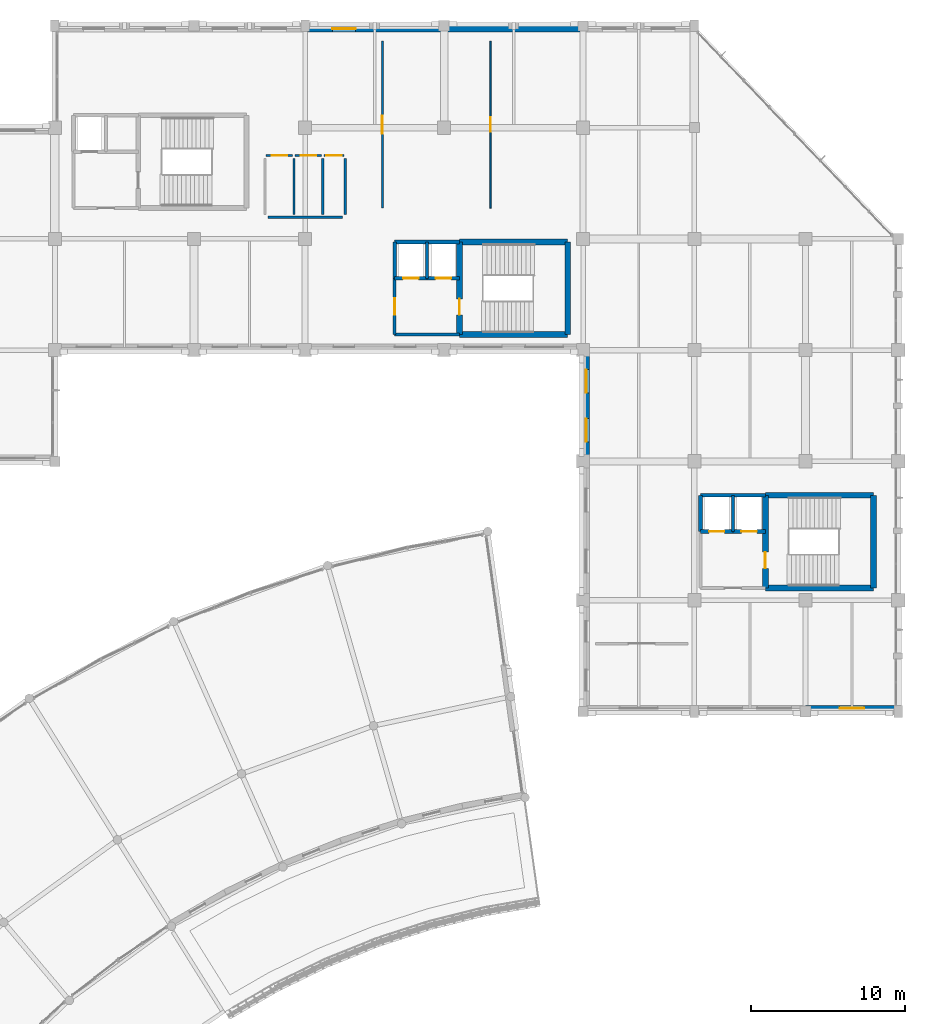
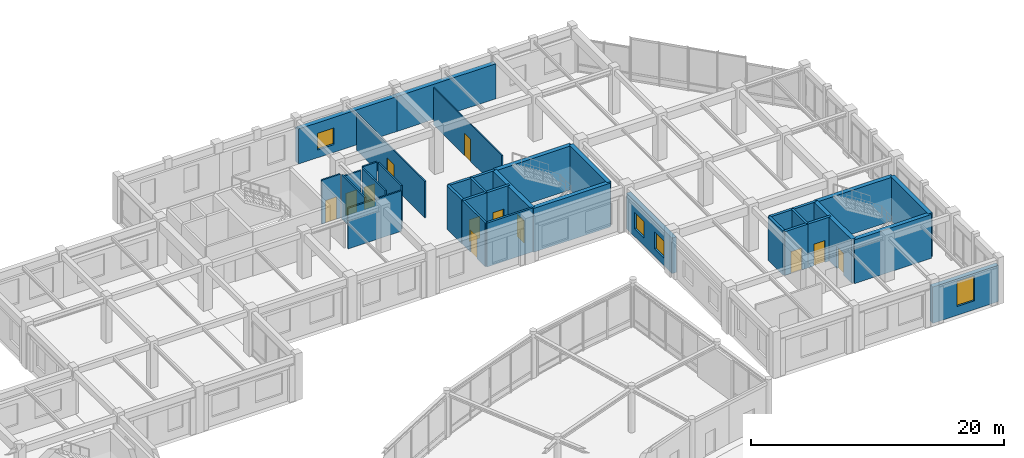
# One storey, part 47 of 62: 33 walls, 12 doors, 4 windows, 16 openings.
"""IFC4 building model written with IfcOpenShell, lengths in metres."""

from ifc_helpers import new_model, si_unit, direction, frame, frame_2d, origin, place, context, subcontext, project, spatial, rectangle, extrude, material, layer, layer_set, type_object, element, fill, save


model = new_model("IFC4")

# Units and contexts
model_context = context("Model", 3, precision=1e-05, world=origin(), true_north=direction((0.0, 1.0)))
body_context = subcontext(model_context, "Body", "Model", "MODEL_VIEW")
ifc_project = project(units=[si_unit("LENGTHUNIT", "METRE"), si_unit("AREAUNIT", "SQUARE_METRE"), si_unit("VOLUMEUNIT", "CUBIC_METRE"), si_unit("PLANEANGLEUNIT", "RADIAN"), si_unit("MASSUNIT", "GRAM", prefix="KILO")], contexts=[model_context])

# Site, building, storey
site_placement = place(None, origin())
site = spatial("IfcSite", under=ifc_project, at=site_placement, CompositionType="ELEMENT")
building_placement = place(site_placement, origin())
building = spatial("IfcBuilding", under=site, at=building_placement, Name="Clarverna Civic Hall", CompositionType="ELEMENT")
storey_placement = place(building_placement, frame((0.0, 0.0, 5.10009765625)))
storey = spatial("IfcBuildingStorey", under=building, at=storey_placement, Name="L01", CompositionType="ELEMENT", Elevation=5.10009765625)

# Wall, opening, window
ifc_material_1 = material(Name="Montjuic Limestone Ashlar Cladding", Category="masonry")
ifc_layer_1 = layer(ifc_material_1, 0.39990234375)
ifc_layer_set_1 = layer_set([ifc_layer_1], Name="Montjuic Limestone Ashlar Cladding")
wall_type_1 = type_object("IfcWallType", Name="EW-02", PredefinedType="SOLIDWALL", material=ifc_layer_set_1)
wall_1_placement = place(storey_placement, frame((129.60009765625, 115.800048828125, 0.0), z_axis=(0.0, 0.0, 1.0), x_axis=(1.0, 0.0, 0.0)))
wall_1 = element("IfcWall", 1, at=wall_1_placement, inside=storey, type_object=wall_type_1, Name="EW-02-036", PredefinedType="SOLIDWALL", context=body_context, shape_type="SweptSolid", body=[
    extrude(rectangle(XDim=9.0, YDim=0.39990234375, at=frame_2d((4.5, 0.0))), origin(), (0.0, 0.0, 1.0), 3.369873046875),
])
opening_1_placement = place(wall_1_placement, frame((1.77001953125, 0.0, 0.75)))
opening_1 = element("IfcOpeningElement", 2, at=opening_1_placement, cuts=wall_1, Name="Opening WN-14", PredefinedType="OPENING", context=body_context, shape_type="SweptSolid", body=[
    extrude(rectangle(XDim=1.5, YDim=1.60009765625, at=frame_2d((0.75, 0.800048828125))), frame((0.0, 0.2099609375, 0.0), z_axis=(0.0, -1.0, 0.0), x_axis=(1.0, 0.0, 0.0)), (0.0, 0.0, 1.0), 0.419921875),
])
ifc_material_2 = material(Name="Solar-Control Argon Low-E Double Glazing", Category="glass")
window_type_1 = type_object("IfcWindowType", Name="WN-14", PartitioningType="DOUBLE_PANEL_HORIZONTAL", PredefinedType="WINDOW", material=ifc_material_2)
window_1_placement = place(opening_1_placement, origin())
window_1 = element("IfcWindow", 3, at=window_1_placement, inside=storey, type_object=window_type_1, Name="WN-14-010", OverallHeight=1.60009765625, OverallWidth=1.5, PartitioningType="DOUBLE_PANEL_HORIZONTAL", PredefinedType="WINDOW", context=body_context, shape_type="SweptSolid", body=[
    extrude(rectangle(XDim=1.5, YDim=1.60009765625, at=frame_2d((0.75, 0.800048828125))), frame((0.0, 0.030029296875, 0.0), z_axis=(0.0, -1.0, 0.0), x_axis=(1.0, 0.0, 0.0)), (0.0, 0.0, 1.0), 0.06005859375),
])
fill(opening_1, window_1)

# Wall
wall_2_placement = place(storey_placement, frame((138.60009765625, 115.800048828125, 0.0), z_axis=(0.0, 0.0, 1.0), x_axis=(1.0, 0.0, 0.0)))
element("IfcWall", 4, at=wall_2_placement, inside=storey, type_object=wall_type_1, Name="EW-02-037", PredefinedType="SOLIDWALL", context=body_context, shape_type="SweptSolid", body=[
    extrude(rectangle(XDim=9.0, YDim=0.39990234375, at=frame_2d((4.5, 0.0))), origin(), (0.0, 0.0, 1.0), 3.369873046875),
])

# Wall, opening, window
wall_3_placement = place(storey_placement, frame((168.0, 71.800048828125, 0.0), z_axis=(0.0, 0.0, 1.0), x_axis=(-1.0, 0.0, 0.0)))
wall_3 = element("IfcWall", 5, at=wall_3_placement, inside=storey, type_object=wall_type_1, Name="EW-02-039", PredefinedType="SOLIDWALL", context=body_context, shape_type="SweptSolid", body=[
    extrude(rectangle(XDim=6.0, YDim=0.39990234375, at=frame_2d((3.0, 0.0))), origin(), (0.0, 0.0, 1.0), 3.5),
])
opening_2_placement = place(wall_3_placement, frame((2.199951171875, 0.0, 0.85009765625)))
opening_2 = element("IfcOpeningElement", 6, at=opening_2_placement, cuts=wall_3, Name="Opening WN-03", PredefinedType="OPENING", context=body_context, shape_type="SweptSolid", body=[
    extrude(rectangle(XDim=1.60009765625, YDim=2.39990234375, at=frame_2d((0.800048828125, 1.199951171875))), frame((0.0, 0.2099609375, 0.0), z_axis=(0.0, -1.0, 0.0), x_axis=(1.0, 0.0, 0.0)), (0.0, 0.0, 1.0), 0.419921875),
])
window_type_2 = type_object("IfcWindowType", Name="WN-03", PartitioningType="DOUBLE_PANEL_VERTICAL", PredefinedType="WINDOW", material=ifc_material_2)
window_2_placement = place(opening_2_placement, origin())
window_2 = element("IfcWindow", 7, at=window_2_placement, inside=storey, type_object=window_type_2, Name="WN-03-014", OverallHeight=2.39990234375, OverallWidth=1.60009765625, PartitioningType="DOUBLE_PANEL_VERTICAL", PredefinedType="WINDOW", context=body_context, shape_type="SweptSolid", body=[
    extrude(rectangle(XDim=1.60009765625, YDim=2.39990234375, at=frame_2d((0.800048828125, 1.199951171875))), frame((0.0, 0.030029296875, 0.0), z_axis=(0.0, -1.0, 0.0), x_axis=(1.0, 0.0, 0.0)), (0.0, 0.0, 1.0), 0.06005859375),
])
fill(opening_2, window_2)

# Wall, openings, windows
wall_4_placement = place(storey_placement, frame((147.800048828125, 87.800048828125, 0.0), z_axis=(0.0, 0.0, 1.0), x_axis=(0.0, 1.0, 0.0)))
wall_4 = element("IfcWall", 8, at=wall_4_placement, inside=storey, type_object=wall_type_1, Name="EW-02-044", PredefinedType="SOLIDWALL", context=body_context, shape_type="SweptSolid", body=[
    extrude(rectangle(XDim=7.199951171875, YDim=0.39990234375, at=frame_2d((3.60009765625, 0.0))), origin(), (0.0, 0.0, 1.0), 3.419921875),
])
opening_3_placement = place(wall_4_placement, frame((1.26611328125, 0.0, 0.75)))
opening_3 = element("IfcOpeningElement", 9, at=opening_3_placement, cuts=wall_4, Name="Opening WN-14", PredefinedType="OPENING", context=body_context, shape_type="SweptSolid", body=[
    extrude(rectangle(XDim=1.5, YDim=1.60009765625, at=frame_2d((0.75, 0.800048828125))), frame((0.0, 0.2099609375, 0.0), z_axis=(0.0, -1.0, 0.0), x_axis=(1.0, 0.0, 0.0)), (0.0, 0.0, 1.0), 0.419921875),
])
opening_4_placement = place(wall_4_placement, frame((4.43408203125, 0.0, 0.75)))
opening_4 = element("IfcOpeningElement", 10, at=opening_4_placement, cuts=wall_4, Name="Opening WN-14", PredefinedType="OPENING", context=body_context, shape_type="SweptSolid", body=[
    extrude(rectangle(XDim=1.5, YDim=1.60009765625, at=frame_2d((0.75, 0.800048828125))), frame((0.0, 0.2099609375, 0.0), z_axis=(0.0, -1.0, 0.0), x_axis=(1.0, 0.0, 0.0)), (0.0, 0.0, 1.0), 0.419921875),
])
window_3_placement = place(opening_3_placement, origin())
window_3 = element("IfcWindow", 11, at=window_3_placement, inside=storey, type_object=window_type_1, Name="WN-14-015", OverallHeight=1.60009765625, OverallWidth=1.5, PartitioningType="DOUBLE_PANEL_HORIZONTAL", PredefinedType="WINDOW", context=body_context, shape_type="SweptSolid", body=[
    extrude(rectangle(XDim=1.5, YDim=1.60009765625, at=frame_2d((0.75, 0.800048828125))), frame((0.0, 0.030029296875, 0.0), z_axis=(0.0, -1.0, 0.0), x_axis=(1.0, 0.0, 0.0)), (0.0, 0.0, 1.0), 0.06005859375),
])
fill(opening_3, window_3)
window_4_placement = place(opening_4_placement, origin())
window_4 = element("IfcWindow", 12, at=window_4_placement, inside=storey, type_object=window_type_1, Name="WN-14-016", OverallHeight=1.60009765625, OverallWidth=1.5, PartitioningType="DOUBLE_PANEL_HORIZONTAL", PredefinedType="WINDOW", context=body_context, shape_type="SweptSolid", body=[
    extrude(rectangle(XDim=1.5, YDim=1.60009765625, at=frame_2d((0.75, 0.800048828125))), frame((0.0, 0.030029296875, 0.0), z_axis=(0.0, -1.0, 0.0), x_axis=(1.0, 0.0, 0.0)), (0.0, 0.0, 1.0), 0.06005859375),
])
fill(opening_4, window_4)

# Walls
ifc_material_3 = material(Name="Ceramic Brick and Plaster Wet-Room Partition", Category="masonry")
ifc_layer_2 = layer(ifc_material_3, 0.139892578125)
ifc_layer_set_2 = layer_set([ifc_layer_2], Name="Ceramic Brick and Plaster Wet-Room Partition")
wall_type_2 = type_object("IfcWallType", Name="PW-02", PredefinedType="PARTITIONING", material=ifc_layer_set_2)
wall_5_placement = place(storey_placement, frame((127.179931640625, 103.60009765625, 0.0), z_axis=(0.0, 0.0, 1.0), x_axis=(1.0, 0.0, 0.0)))
element("IfcWall", 13, at=wall_5_placement, inside=storey, type_object=wall_type_2, Name="PW-02-017", PredefinedType="PARTITIONING", context=body_context, shape_type="SweptSolid", body=[
    extrude(rectangle(XDim=4.840087890625, YDim=0.139892578125, at=frame_2d((2.419921875, 0.0))), origin(), (0.0, 0.0, 1.0), 3.909912109375),
])
for number, where, z_axis, x_axis, name in (
    (14, (132.199951171875, 103.780029296875, 0.0), (0.0, 0.0, 1.0), (0.0, 1.0, 0.0), "PW-02-019"),
    (15, (128.8720703125, 103.780029296875, 0.0), (0.0, 0.0, 1.0), (0.0, 1.0, 0.0), "PW-02-020"),
    (16, (130.743896484375, 103.780029296875, 0.0), (0.0, 0.0, 1.0), (0.0, 1.0, 0.0), "PW-02-021"),
):
    element("IfcWall", number, at=place(storey_placement, frame(where, z_axis=z_axis, x_axis=x_axis)), inside=storey, type_object=wall_type_2, Name=name, PredefinedType="PARTITIONING", context=body_context, shape_type="SweptSolid", body=[
        extrude(rectangle(XDim=3.639892578125, YDim=0.139892578125, at=frame_2d((1.81982421875, 0.0))), origin(), (0.0, 0.0, 1.0), 4.219970703125),
    ])

# Wall, opening, door
wall_6_placement = place(storey_placement, frame((127.080078125, 107.60009765625, 0.0), z_axis=(0.0, 0.0, 1.0), x_axis=(1.0, 0.0, 0.0)))
wall_6 = element("IfcWall", 17, at=wall_6_placement, inside=storey, type_object=wall_type_2, Name="PW-02-022", PredefinedType="PARTITIONING", context=body_context, shape_type="SweptSolid", body=[
    extrude(rectangle(XDim=1.7119140625, YDim=0.139892578125, at=frame_2d((0.85595703125, 0.0))), origin(), (0.0, 0.0, 1.0), 4.219970703125),
])
opening_5_placement = place(wall_6_placement, frame((0.35595703125, 0.0, 0.0)))
opening_5 = element("IfcOpeningElement", 18, at=opening_5_placement, cuts=wall_6, Name="Opening ID-02", PredefinedType="OPENING", context=body_context, shape_type="SweptSolid", body=[
    extrude(rectangle(XDim=1.0, YDim=2.14990234375, at=frame_2d((0.5, 1.074951171875))), frame((0.0, 0.079833984375, 0.0), z_axis=(0.0, -1.0, 0.0), x_axis=(1.0, 0.0, 0.0)), (0.0, 0.0, 1.0), 0.159912109375),
])
ifc_material_4 = material(Name="European Oak Veneered Acoustic Timber Door", Category="wood")
door_type_1 = type_object("IfcDoorType", Name="ID-02", OperationType="NOTDEFINED", PredefinedType="DOOR", material=ifc_material_4)
door_1_placement = place(opening_5_placement, origin())
door_1 = element("IfcDoor", 19, at=door_1_placement, inside=storey, type_object=door_type_1, Name="ID-02-007", OperationType="SINGLE_SWING_LEFT", OverallHeight=2.14990234375, OverallWidth=1.0, PredefinedType="DOOR", context=body_context, shape_type="SweptSolid", body=[
    extrude(rectangle(XDim=1.0, YDim=2.14990234375, at=frame_2d((0.5, 1.074951171875))), frame((0.0, 0.02490234375, 0.0), z_axis=(0.0, -1.0, 0.0), x_axis=(1.0, 0.0, 0.0)), (0.0, 0.0, 1.0), 0.050048828125),
])
fill(opening_5, door_1)

wall_7_placement = place(storey_placement, frame((128.951904296875, 107.60009765625, 0.0), z_axis=(0.0, 0.0, 1.0), x_axis=(1.0, 0.0, 0.0)))
wall_7 = element("IfcWall", 20, at=wall_7_placement, inside=storey, type_object=wall_type_2, Name="PW-02-023", PredefinedType="PARTITIONING", context=body_context, shape_type="SweptSolid", body=[
    extrude(rectangle(XDim=1.712158203125, YDim=0.139892578125, at=frame_2d((0.85595703125, 0.0))), origin(), (0.0, 0.0, 1.0), 3.909912109375),
])
opening_6_placement = place(wall_7_placement, frame((0.35595703125, 0.0, 0.0)))
opening_6 = element("IfcOpeningElement", 21, at=opening_6_placement, cuts=wall_7, Name="Opening ID-02", PredefinedType="OPENING", context=body_context, shape_type="SweptSolid", body=[
    extrude(rectangle(XDim=1.0, YDim=2.14990234375, at=frame_2d((0.5, 1.074951171875))), frame((0.0, 0.079833984375, 0.0), z_axis=(0.0, -1.0, 0.0), x_axis=(1.0, 0.0, 0.0)), (0.0, 0.0, 1.0), 0.159912109375),
])
door_2_placement = place(opening_6_placement, origin())
door_2 = element("IfcDoor", 22, at=door_2_placement, inside=storey, type_object=door_type_1, Name="ID-02-008", OperationType="SINGLE_SWING_RIGHT", OverallHeight=2.14990234375, OverallWidth=1.0, PredefinedType="DOOR", context=body_context, shape_type="SweptSolid", body=[
    extrude(rectangle(XDim=1.0, YDim=2.14990234375, at=frame_2d((0.5, 1.074951171875))), frame((0.0, 0.02490234375, 0.0), z_axis=(0.0, -1.0, 0.0), x_axis=(1.0, 0.0, 0.0)), (0.0, 0.0, 1.0), 0.050048828125),
])
fill(opening_6, door_2)

wall_8_placement = place(storey_placement, frame((130.823974609375, 107.60009765625, 0.0), z_axis=(0.0, 0.0, 1.0), x_axis=(1.0, 0.0, 0.0)))
wall_8 = element("IfcWall", 23, at=wall_8_placement, inside=storey, type_object=wall_type_2, Name="PW-02-024", PredefinedType="PARTITIONING", context=body_context, shape_type="SweptSolid", body=[
    extrude(rectangle(XDim=1.296142578125, YDim=0.139892578125, at=frame_2d((0.64794921875, 0.0))), origin(), (0.0, 0.0, 1.0), 4.219970703125),
])
opening_7_placement = place(wall_8_placement, frame((0.14794921875, 0.0, 0.0)))
opening_7 = element("IfcOpeningElement", 24, at=opening_7_placement, cuts=wall_8, Name="Opening ID-02", PredefinedType="OPENING", context=body_context, shape_type="SweptSolid", body=[
    extrude(rectangle(XDim=1.0, YDim=2.14990234375, at=frame_2d((0.5, 1.074951171875))), frame((0.0, 0.079833984375, 0.0), z_axis=(0.0, -1.0, 0.0), x_axis=(1.0, 0.0, 0.0)), (0.0, 0.0, 1.0), 0.159912109375),
])
door_3_placement = place(opening_7_placement, origin())
door_3 = element("IfcDoor", 25, at=door_3_placement, inside=storey, type_object=door_type_1, Name="ID-02-009", OperationType="SINGLE_SWING_LEFT", OverallHeight=2.14990234375, OverallWidth=1.0, PredefinedType="DOOR", context=body_context, shape_type="SweptSolid", body=[
    extrude(rectangle(XDim=1.0, YDim=2.14990234375, at=frame_2d((0.5, 1.074951171875))), frame((0.0, 0.02490234375, 0.0), z_axis=(0.0, -1.0, 0.0), x_axis=(1.0, 0.0, 0.0)), (0.0, 0.0, 1.0), 0.050048828125),
])
fill(opening_7, door_3)

ifc_material_5 = material(Name="Gypsum Plasterboard Partition", Category="gypsum")
ifc_layer_3 = layer(ifc_material_5, 0.1201171875)
ifc_layer_set_3 = layer_set([ifc_layer_3], Name="Gypsum Plasterboard Partition")
wall_type_3 = type_object("IfcWallType", Name="PW-03", PredefinedType="PARTITIONING", material=ifc_layer_set_3)
wall_9_placement = place(storey_placement, frame((134.60009765625, 104.199951171875, 0.0), z_axis=(0.0, 0.0, 1.0), x_axis=(0.0, 1.0, 0.0)))
wall_9 = element("IfcWall", 26, at=wall_9_placement, inside=storey, type_object=wall_type_3, Name="PW-03-003", PredefinedType="PARTITIONING", context=body_context, shape_type="SweptSolid", body=[
    extrude(rectangle(XDim=10.800048828125, YDim=0.1201171875, at=frame_2d((5.39990234375, 0.0))), origin(), (0.0, 0.0, 1.0), 3.52001953125),
])
opening_8_placement = place(wall_9_placement, frame((4.824951171875, 0.0, 0.0)))
opening_8 = element("IfcOpeningElement", 27, at=opening_8_placement, cuts=wall_9, Name="Opening ID-03", PredefinedType="OPENING", context=body_context, shape_type="SweptSolid", body=[
    extrude(rectangle(XDim=1.14990234375, YDim=2.199951171875, at=frame_2d((0.574951171875, 1.10009765625))), frame((0.0, 0.070068359375, 0.0), z_axis=(0.0, -1.0, 0.0), x_axis=(1.0, 0.0, 0.0)), (0.0, 0.0, 1.0), 0.14013671875),
])
door_type_2 = type_object("IfcDoorType", Name="ID-03", OperationType="NOTDEFINED", PredefinedType="DOOR", material=ifc_material_4)
door_4_placement = place(opening_8_placement, origin())
door_4 = element("IfcDoor", 28, at=door_4_placement, inside=storey, type_object=door_type_2, Name="ID-03-002", OperationType="SINGLE_SWING_RIGHT", OverallHeight=2.199951171875, OverallWidth=1.14990234375, PredefinedType="DOOR", context=body_context, shape_type="SweptSolid", body=[
    extrude(rectangle(XDim=1.14990234375, YDim=2.199951171875, at=frame_2d((0.574951171875, 1.10009765625))), frame((0.0, 0.02490234375, 0.0), z_axis=(0.0, -1.0, 0.0), x_axis=(1.0, 0.0, 0.0)), (0.0, 0.0, 1.0), 0.050048828125),
])
fill(opening_8, door_4)

ifc_layer_4 = layer(ifc_material_5, 0.10009765625)
ifc_layer_set_4 = layer_set([ifc_layer_4], Name="Gypsum Plasterboard Partition")
wall_type_4 = type_object("IfcWallType", Name="PW-04", PredefinedType="PARTITIONING", material=ifc_layer_set_4)
wall_10_placement = place(storey_placement, frame((141.60009765625, 104.199951171875, 0.0), z_axis=(0.0, 0.0, 1.0), x_axis=(0.0, 1.0, 0.0)))
wall_10 = element("IfcWall", 29, at=wall_10_placement, inside=storey, type_object=wall_type_4, Name="PW-04-002", PredefinedType="PARTITIONING", context=body_context, shape_type="SweptSolid", body=[
    extrude(rectangle(XDim=10.800048828125, YDim=0.10009765625, at=frame_2d((5.39990234375, 0.0))), origin(), (0.0, 0.0, 1.0), 3.56982421875),
])
opening_9_placement = place(wall_10_placement, frame((4.925048828125, 0.0, 0.0)))
opening_9 = element("IfcOpeningElement", 30, at=opening_9_placement, cuts=wall_10, Name="Opening ID-01", PredefinedType="OPENING", context=body_context, shape_type="SweptSolid", body=[
    extrude(rectangle(XDim=0.949951171875, YDim=2.14990234375, at=frame_2d((0.47509765625, 1.074951171875))), frame((0.0, 0.06005859375, 0.0), z_axis=(0.0, -1.0, 0.0), x_axis=(1.0, 0.0, 0.0)), (0.0, 0.0, 1.0), 0.1201171875),
])
door_type_3 = type_object("IfcDoorType", Name="ID-01", OperationType="NOTDEFINED", PredefinedType="DOOR", material=ifc_material_4)
door_5_placement = place(opening_9_placement, origin())
door_5 = element("IfcDoor", 31, at=door_5_placement, inside=storey, type_object=door_type_3, Name="ID-01-003", OperationType="SINGLE_SWING_LEFT", OverallHeight=2.14990234375, OverallWidth=0.949951171875, PredefinedType="DOOR", context=body_context, shape_type="SweptSolid", body=[
    extrude(rectangle(XDim=0.949951171875, YDim=2.14990234375, at=frame_2d((0.47509765625, 1.074951171875))), frame((0.0, 0.02490234375, 0.0), z_axis=(0.0, -1.0, 0.0), x_axis=(1.0, 0.0, 0.0)), (0.0, 0.0, 1.0), 0.050048828125),
])
fill(opening_9, door_5)

ifc_material_6 = material(Name="Acoustic Gypsum Plasterboard on Twin Frame", Category="gypsum")
ifc_layer_5 = layer(ifc_material_6, 0.18994140625)
ifc_layer_set_5 = layer_set([ifc_layer_5], Name="Acoustic Gypsum Plasterboard on Twin Frame")
wall_type_5 = type_object("IfcWallType", Name="PW-06", PredefinedType="PARTITIONING", material=ifc_layer_set_5)
wall_11_placement = place(storey_placement, frame((135.39990234375, 96.0, 0.0), z_axis=(0.0, 0.0, 1.0), x_axis=(0.0, 1.0, 0.0)))
wall_11 = element("IfcWall", 32, at=wall_11_placement, inside=storey, type_object=wall_type_5, Name="PW-06-005", PredefinedType="PARTITIONING", context=body_context, shape_type="SweptSolid", body=[
    extrude(rectangle(XDim=3.64990234375, YDim=0.18994140625, at=frame_2d((1.824951171875, 0.0))), origin(), (0.0, 0.0, 1.0), 4.219970703125),
])
opening_10_placement = place(wall_11_placement, frame((1.300048828125, 0.0, 0.0)))
opening_10 = element("IfcOpeningElement", 33, at=opening_10_placement, cuts=wall_11, Name="Opening FD-02", PredefinedType="OPENING", context=body_context, shape_type="SweptSolid", body=[
    extrude(rectangle(XDim=1.050048828125, YDim=2.14990234375, at=frame_2d((0.52490234375, 1.074951171875))), frame((0.0, 0.10498046875, 0.0), z_axis=(0.0, -1.0, 0.0), x_axis=(1.0, 0.0, 0.0)), (0.0, 0.0, 1.0), 0.2099609375),
])
ifc_material_7 = material(Name="Acoustic Timber-Faced Fire Door", Category="wood")
door_type_4 = type_object("IfcDoorType", Name="FD-02", OperationType="NOTDEFINED", PredefinedType="DOOR", material=ifc_material_7)
door_6_placement = place(opening_10_placement, origin())
door_6 = element("IfcDoor", 34, at=door_6_placement, inside=storey, type_object=door_type_4, Name="FD-02-005", OperationType="SINGLE_SWING_RIGHT", OverallHeight=2.14990234375, OverallWidth=1.050048828125, PredefinedType="DOOR", context=body_context, shape_type="SweptSolid", body=[
    extrude(rectangle(XDim=1.050048828125, YDim=2.14990234375, at=frame_2d((0.52490234375, 1.074951171875))), frame((0.0, 0.02490234375, 0.0), z_axis=(0.0, -1.0, 0.0), x_axis=(1.0, 0.0, 0.0)), (0.0, 0.0, 1.0), 0.050048828125),
])
fill(opening_10, door_6)

# Wall
wall_12_placement = place(storey_placement, frame((135.39990234375, 96.0, 0.0), z_axis=(0.0, 0.0, 1.0), x_axis=(1.0, 0.0, 0.0)))
element("IfcWall", 35, at=wall_12_placement, inside=storey, type_object=wall_type_5, Name="PW-06-006", PredefinedType="PARTITIONING", context=body_context, shape_type="SweptSolid", body=[
    extrude(rectangle(XDim=4.2001953125, YDim=0.18994140625, at=frame_2d((2.10009765625, 0.0))), origin(), (0.0, 0.0, 1.0), 4.219970703125),
])

# Wall, opening, door
ifc_material_8 = material(Name="Concrete C35/45", Category="concrete")
ifc_layer_6 = layer(ifc_material_8, 0.3798828125)
ifc_layer_set_6 = layer_set([ifc_layer_6], Name="Concrete C35/45")
wall_type_6 = type_object("IfcWallType", Name="SW-01", PredefinedType="SHEAR", material=ifc_layer_set_6)
wall_13_placement = place(storey_placement, frame((139.60009765625, 96.0, 0.0), z_axis=(0.0, 0.0, 1.0), x_axis=(0.0, 1.0, 0.0)))
wall_13 = element("IfcWall", 36, at=wall_13_placement, inside=storey, type_object=wall_type_6, Name="SW-01-019", PredefinedType="SHEAR", context=body_context, shape_type="SweptSolid", body=[
    extrude(rectangle(XDim=6.0, YDim=0.3798828125, at=frame_2d((3.0, 0.0))), origin(), (0.0, 0.0, 1.0), 4.219970703125),
])
opening_11_placement = place(wall_13_placement, frame((1.27490234375, 0.0, 0.0)))
opening_11 = element("IfcOpeningElement", 37, at=opening_11_placement, cuts=wall_13, Name="Opening FD-02", PredefinedType="OPENING", context=body_context, shape_type="SweptSolid", body=[
    extrude(rectangle(XDim=1.050048828125, YDim=2.14990234375, at=frame_2d((0.52490234375, 1.074951171875))), frame((0.0, 0.199951171875, 0.0), z_axis=(0.0, -1.0, 0.0), x_axis=(1.0, 0.0, 0.0)), (0.0, 0.0, 1.0), 0.39990234375),
])
door_7_placement = place(opening_11_placement, origin())
door_7 = element("IfcDoor", 38, at=door_7_placement, inside=storey, type_object=door_type_4, Name="FD-02-004", OperationType="SINGLE_SWING_LEFT", OverallHeight=2.14990234375, OverallWidth=1.050048828125, PredefinedType="DOOR", context=body_context, shape_type="SweptSolid", body=[
    extrude(rectangle(XDim=1.050048828125, YDim=2.14990234375, at=frame_2d((0.52490234375, 1.074951171875))), frame((0.0, 0.02490234375, 0.0), z_axis=(0.0, -1.0, 0.0), x_axis=(1.0, 0.0, 0.0)), (0.0, 0.0, 1.0), 0.050048828125),
])
fill(opening_11, door_7)

# Walls
wall_14_placement = place(storey_placement, frame((146.60009765625, 96.0, 0.0), z_axis=(0.0, 0.0, 1.0), x_axis=(0.0, 1.0, 0.0)))
element("IfcWall", 39, at=wall_14_placement, inside=storey, type_object=wall_type_6, Name="SW-01-020", PredefinedType="SHEAR", context=body_context, shape_type="SweptSolid", body=[
    extrude(rectangle(XDim=6.0, YDim=0.3798828125, at=frame_2d((3.0, 0.0))), origin(), (0.0, 0.0, 1.0), 4.219970703125),
])
for number, where, z_axis, x_axis, name in (
    (40, (139.60009765625, 96.0, 0.0), (0.0, 0.0, 1.0), (1.0, 0.0, 0.0), "SW-01-021"),
    (41, (139.60009765625, 102.0, 0.0), (0.0, 0.0, 1.0), (1.0, 0.0, 0.0), "SW-01-022"),
):
    element("IfcWall", number, at=place(storey_placement, frame(where, z_axis=z_axis, x_axis=x_axis)), inside=storey, type_object=wall_type_6, Name=name, PredefinedType="SHEAR", context=body_context, shape_type="SweptSolid", body=[
        extrude(rectangle(XDim=7.0, YDim=0.3798828125, at=frame_2d((3.5, 0.0))), origin(), (0.0, 0.0, 1.0), 4.219970703125),
    ])
wall_15_placement = place(storey_placement, frame((135.39990234375, 102.0, 0.0), z_axis=(0.0, 0.0, 1.0), x_axis=(1.0, 0.0, 0.0)))
element("IfcWall", 42, at=wall_15_placement, inside=storey, type_object=wall_type_6, Name="SW-01-023", PredefinedType="SHEAR", context=body_context, shape_type="SweptSolid", body=[
    extrude(rectangle(XDim=4.2001953125, YDim=0.239990234375, at=frame_2d((2.10009765625, 0.0))), origin(), (0.0, 0.0, 1.0), 4.219970703125),
])
wall_16_placement = place(storey_placement, frame((135.39990234375, 99.64990234375, 0.0), z_axis=(0.0, 0.0, 1.0), x_axis=(0.0, 1.0, 0.0)))
element("IfcWall", 43, at=wall_16_placement, inside=storey, type_object=wall_type_6, Name="SW-01-024", PredefinedType="SHEAR", context=body_context, shape_type="SweptSolid", body=[
    extrude(rectangle(XDim=2.35009765625, YDim=0.239990234375, at=frame_2d((1.175048828125, 0.0))), origin(), (0.0, 0.0, 1.0), 4.219970703125),
])
wall_17_placement = place(storey_placement, frame((137.5, 99.64990234375, 0.0), z_axis=(0.0, 0.0, 1.0), x_axis=(0.0, 1.0, 0.0)))
element("IfcWall", 44, at=wall_17_placement, inside=storey, type_object=wall_type_6, Name="SW-01-025", PredefinedType="SHEAR", context=body_context, shape_type="SweptSolid", body=[
    extrude(rectangle(XDim=2.35009765625, YDim=0.199951171875, at=frame_2d((1.175048828125, 0.0))), origin(), (0.0, 0.0, 1.0), 4.219970703125),
])

# Wall, opening, door
wall_18_placement = place(storey_placement, frame((135.39990234375, 99.64990234375, 0.0), z_axis=(0.0, 0.0, 1.0), x_axis=(1.0, 0.0, 0.0)))
wall_18 = element("IfcWall", 45, at=wall_18_placement, inside=storey, type_object=wall_type_6, Name="SW-01-026", PredefinedType="SHEAR", context=body_context, shape_type="SweptSolid", body=[
    extrude(rectangle(XDim=2.10009765625, YDim=0.239990234375, at=frame_2d((1.050048828125, 0.0))), origin(), (0.0, 0.0, 1.0), 4.219970703125),
])
opening_12_placement = place(wall_18_placement, frame((0.550048828125, 0.0, 0.0)))
opening_12 = element("IfcOpeningElement", 46, at=opening_12_placement, cuts=wall_18, Name="Opening LD-01", PredefinedType="OPENING", context=body_context, shape_type="SweptSolid", body=[
    extrude(rectangle(XDim=1.0, YDim=2.10009765625, at=frame_2d((0.5, 1.050048828125))), frame((0.0, 0.1298828125, 0.0), z_axis=(0.0, -1.0, 0.0), x_axis=(1.0, 0.0, 0.0)), (0.0, 0.0, 1.0), 0.260009765625),
])
ifc_material_9 = material(Name="Brushed Bronze Stainless Lift Landing Door")
door_type_5 = type_object("IfcDoorType", Name="LD-01", OperationType="SLIDING_TO_LEFT", PredefinedType="DOOR", material=ifc_material_9)
door_8_placement = place(opening_12_placement, origin())
door_8 = element("IfcDoor", 47, at=door_8_placement, inside=storey, type_object=door_type_5, Name="LD-01-005", OperationType="SLIDING_TO_LEFT", OverallHeight=2.10009765625, OverallWidth=1.0, PredefinedType="DOOR", context=body_context, shape_type="SweptSolid", body=[
    extrude(rectangle(XDim=1.0, YDim=2.10009765625, at=frame_2d((0.5, 1.050048828125))), frame((0.0, 0.02490234375, 0.0), z_axis=(0.0, -1.0, 0.0), x_axis=(1.0, 0.0, 0.0)), (0.0, 0.0, 1.0), 0.050048828125),
])
fill(opening_12, door_8)

wall_19_placement = place(storey_placement, frame((137.5, 99.64990234375, 0.0), z_axis=(0.0, 0.0, 1.0), x_axis=(1.0, 0.0, 0.0)))
wall_19 = element("IfcWall", 48, at=wall_19_placement, inside=storey, type_object=wall_type_6, Name="SW-01-027", PredefinedType="SHEAR", context=body_context, shape_type="SweptSolid", body=[
    extrude(rectangle(XDim=2.10009765625, YDim=0.239990234375, at=frame_2d((1.050048828125, 0.0))), origin(), (0.0, 0.0, 1.0), 4.219970703125),
])
opening_13_placement = place(wall_19_placement, frame((0.550048828125, 0.0, 0.0)))
opening_13 = element("IfcOpeningElement", 49, at=opening_13_placement, cuts=wall_19, Name="Opening LD-01", PredefinedType="OPENING", context=body_context, shape_type="SweptSolid", body=[
    extrude(rectangle(XDim=1.0, YDim=2.10009765625, at=frame_2d((0.5, 1.050048828125))), frame((0.0, 0.1298828125, 0.0), z_axis=(0.0, -1.0, 0.0), x_axis=(1.0, 0.0, 0.0)), (0.0, 0.0, 1.0), 0.260009765625),
])
door_9_placement = place(opening_13_placement, origin())
door_9 = element("IfcDoor", 50, at=door_9_placement, inside=storey, type_object=door_type_5, Name="LD-01-006", OperationType="SLIDING_TO_LEFT", OverallHeight=2.10009765625, OverallWidth=1.0, PredefinedType="DOOR", context=body_context, shape_type="SweptSolid", body=[
    extrude(rectangle(XDim=1.0, YDim=2.10009765625, at=frame_2d((0.5, 1.050048828125))), frame((0.0, 0.02490234375, 0.0), z_axis=(0.0, -1.0, 0.0), x_axis=(1.0, 0.0, 0.0)), (0.0, 0.0, 1.0), 0.050048828125),
])
fill(opening_13, door_9)

wall_20_placement = place(storey_placement, frame((159.39990234375, 79.60009765625, 0.0), z_axis=(0.0, 0.0, 1.0), x_axis=(0.0, 1.0, 0.0)))
wall_20 = element("IfcWall", 51, at=wall_20_placement, inside=storey, type_object=wall_type_6, Name="SW-01-100", PredefinedType="SHEAR", context=body_context, shape_type="SweptSolid", body=[
    extrude(rectangle(XDim=6.0, YDim=0.3798828125, at=frame_2d((3.0, 0.0))), origin(), (0.0, 0.0, 1.0), 4.219970703125),
])
opening_14_placement = place(wall_20_placement, frame((1.27490234375, 0.0, 0.0)))
opening_14 = element("IfcOpeningElement", 52, at=opening_14_placement, cuts=wall_20, Name="Opening FD-02", PredefinedType="OPENING", context=body_context, shape_type="SweptSolid", body=[
    extrude(rectangle(XDim=1.050048828125, YDim=2.14990234375, at=frame_2d((0.52490234375, 1.074951171875))), frame((0.0, 0.199951171875, 0.0), z_axis=(0.0, -1.0, 0.0), x_axis=(1.0, 0.0, 0.0)), (0.0, 0.0, 1.0), 0.39990234375),
])
door_10_placement = place(opening_14_placement, origin())
door_10 = element("IfcDoor", 53, at=door_10_placement, inside=storey, type_object=door_type_4, Name="FD-02-021", OperationType="SINGLE_SWING_LEFT", OverallHeight=2.14990234375, OverallWidth=1.050048828125, PredefinedType="DOOR", context=body_context, shape_type="SweptSolid", body=[
    extrude(rectangle(XDim=1.050048828125, YDim=2.14990234375, at=frame_2d((0.52490234375, 1.074951171875))), frame((0.0, 0.02490234375, 0.0), z_axis=(0.0, -1.0, 0.0), x_axis=(1.0, 0.0, 0.0)), (0.0, 0.0, 1.0), 0.050048828125),
])
fill(opening_14, door_10)

# Walls
wall_21_placement = place(storey_placement, frame((166.39990234375, 79.60009765625, 0.0), z_axis=(0.0, 0.0, 1.0), x_axis=(0.0, 1.0, 0.0)))
element("IfcWall", 54, at=wall_21_placement, inside=storey, type_object=wall_type_6, Name="SW-01-101", PredefinedType="SHEAR", context=body_context, shape_type="SweptSolid", body=[
    extrude(rectangle(XDim=6.0, YDim=0.3798828125, at=frame_2d((3.0, 0.0))), origin(), (0.0, 0.0, 1.0), 4.219970703125),
])
for number, where, z_axis, x_axis, name in (
    (55, (159.39990234375, 79.60009765625, 0.0), (0.0, 0.0, 1.0), (1.0, 0.0, 0.0), "SW-01-102"),
    (56, (159.39990234375, 85.60009765625, 0.0), (0.0, 0.0, 1.0), (1.0, 0.0, 0.0), "SW-01-103"),
):
    element("IfcWall", number, at=place(storey_placement, frame(where, z_axis=z_axis, x_axis=x_axis)), inside=storey, type_object=wall_type_6, Name=name, PredefinedType="SHEAR", context=body_context, shape_type="SweptSolid", body=[
        extrude(rectangle(XDim=7.0, YDim=0.3798828125, at=frame_2d((3.5, 0.0))), origin(), (0.0, 0.0, 1.0), 4.219970703125),
    ])
wall_22_placement = place(storey_placement, frame((155.199951171875, 85.60009765625, 0.0), z_axis=(0.0, 0.0, 1.0), x_axis=(1.0, 0.0, 0.0)))
element("IfcWall", 57, at=wall_22_placement, inside=storey, type_object=wall_type_6, Name="SW-01-104", PredefinedType="SHEAR", context=body_context, shape_type="SweptSolid", body=[
    extrude(rectangle(XDim=4.199951171875, YDim=0.239990234375, at=frame_2d((2.10009765625, 0.0))), origin(), (0.0, 0.0, 1.0), 4.219970703125),
])
wall_23_placement = place(storey_placement, frame((155.199951171875, 83.25, 0.0), z_axis=(0.0, 0.0, 1.0), x_axis=(0.0, 1.0, 0.0)))
element("IfcWall", 58, at=wall_23_placement, inside=storey, type_object=wall_type_6, Name="SW-01-105", PredefinedType="SHEAR", context=body_context, shape_type="SweptSolid", body=[
    extrude(rectangle(XDim=2.35009765625, YDim=0.239990234375, at=frame_2d((1.175048828125, 0.0))), origin(), (0.0, 0.0, 1.0), 4.219970703125),
])
wall_24_placement = place(storey_placement, frame((157.300048828125, 83.25, 0.0), z_axis=(0.0, 0.0, 1.0), x_axis=(0.0, 1.0, 0.0)))
element("IfcWall", 59, at=wall_24_placement, inside=storey, type_object=wall_type_6, Name="SW-01-106", PredefinedType="SHEAR", context=body_context, shape_type="SweptSolid", body=[
    extrude(rectangle(XDim=2.35009765625, YDim=0.199951171875, at=frame_2d((1.175048828125, 0.0))), origin(), (0.0, 0.0, 1.0), 4.219970703125),
])

# Wall, opening, door
wall_25_placement = place(storey_placement, frame((155.199951171875, 83.25, 0.0), z_axis=(0.0, 0.0, 1.0), x_axis=(1.0, 0.0, 0.0)))
wall_25 = element("IfcWall", 60, at=wall_25_placement, inside=storey, type_object=wall_type_6, Name="SW-01-107", PredefinedType="SHEAR", context=body_context, shape_type="SweptSolid", body=[
    extrude(rectangle(XDim=2.10009765625, YDim=0.239990234375, at=frame_2d((1.050048828125, 0.0))), origin(), (0.0, 0.0, 1.0), 4.219970703125),
])
opening_15_placement = place(wall_25_placement, frame((0.550048828125, 0.0, 0.0)))
opening_15 = element("IfcOpeningElement", 61, at=opening_15_placement, cuts=wall_25, Name="Opening LD-01", PredefinedType="OPENING", context=body_context, shape_type="SweptSolid", body=[
    extrude(rectangle(XDim=1.0, YDim=2.10009765625, at=frame_2d((0.5, 1.050048828125))), frame((0.0, 0.1298828125, 0.0), z_axis=(0.0, -1.0, 0.0), x_axis=(1.0, 0.0, 0.0)), (0.0, 0.0, 1.0), 0.260009765625),
])
door_11_placement = place(opening_15_placement, origin())
door_11 = element("IfcDoor", 62, at=door_11_placement, inside=storey, type_object=door_type_5, Name="LD-01-023", OperationType="SLIDING_TO_LEFT", OverallHeight=2.10009765625, OverallWidth=1.0, PredefinedType="DOOR", context=body_context, shape_type="SweptSolid", body=[
    extrude(rectangle(XDim=1.0, YDim=2.10009765625, at=frame_2d((0.5, 1.050048828125))), frame((0.0, 0.02490234375, 0.0), z_axis=(0.0, -1.0, 0.0), x_axis=(1.0, 0.0, 0.0)), (0.0, 0.0, 1.0), 0.050048828125),
])
fill(opening_15, door_11)

wall_26_placement = place(storey_placement, frame((157.300048828125, 83.25, 0.0), z_axis=(0.0, 0.0, 1.0), x_axis=(1.0, 0.0, 0.0)))
wall_26 = element("IfcWall", 63, at=wall_26_placement, inside=storey, type_object=wall_type_6, Name="SW-01-108", PredefinedType="SHEAR", context=body_context, shape_type="SweptSolid", body=[
    extrude(rectangle(XDim=2.099853515625, YDim=0.239990234375, at=frame_2d((1.0498046875, 0.0))), origin(), (0.0, 0.0, 1.0), 4.219970703125),
])
opening_16_placement = place(wall_26_placement, frame((0.550048828125, 0.0, 0.0)))
opening_16 = element("IfcOpeningElement", 64, at=opening_16_placement, cuts=wall_26, Name="Opening LD-01", PredefinedType="OPENING", context=body_context, shape_type="SweptSolid", body=[
    extrude(rectangle(XDim=1.0, YDim=2.10009765625, at=frame_2d((0.5, 1.050048828125))), frame((0.0, 0.1298828125, 0.0), z_axis=(0.0, -1.0, 0.0), x_axis=(1.0, 0.0, 0.0)), (0.0, 0.0, 1.0), 0.260009765625),
])
door_12_placement = place(opening_16_placement, origin())
door_12 = element("IfcDoor", 65, at=door_12_placement, inside=storey, type_object=door_type_5, Name="LD-01-024", OperationType="SLIDING_TO_LEFT", OverallHeight=2.10009765625, OverallWidth=1.0, PredefinedType="DOOR", context=body_context, shape_type="SweptSolid", body=[
    extrude(rectangle(XDim=1.0, YDim=2.10009765625, at=frame_2d((0.5, 1.050048828125))), frame((0.0, 0.02490234375, 0.0), z_axis=(0.0, -1.0, 0.0), x_axis=(1.0, 0.0, 0.0)), (0.0, 0.0, 1.0), 0.050048828125),
])
fill(opening_16, door_12)

save(model, "model.ifc")
